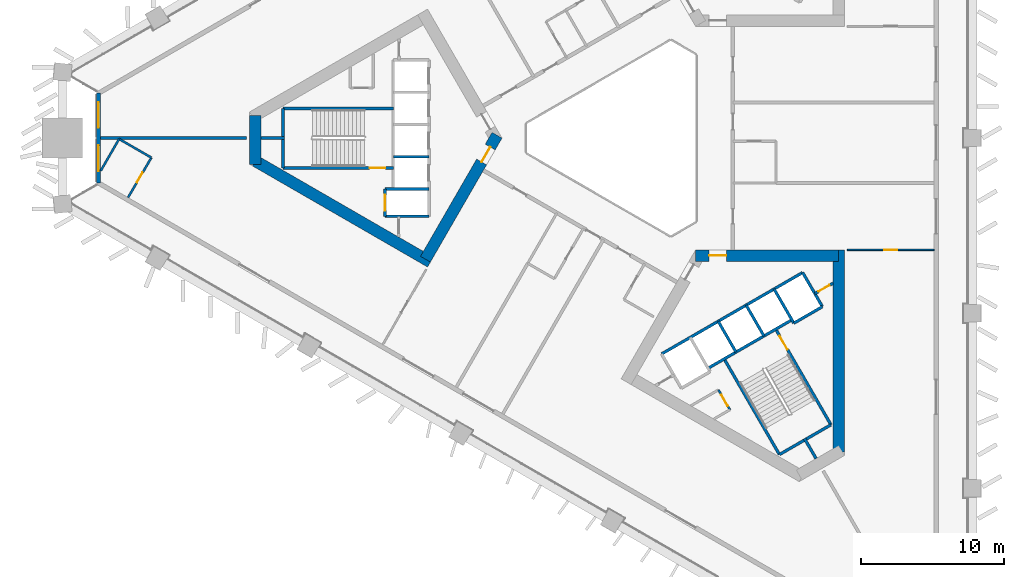
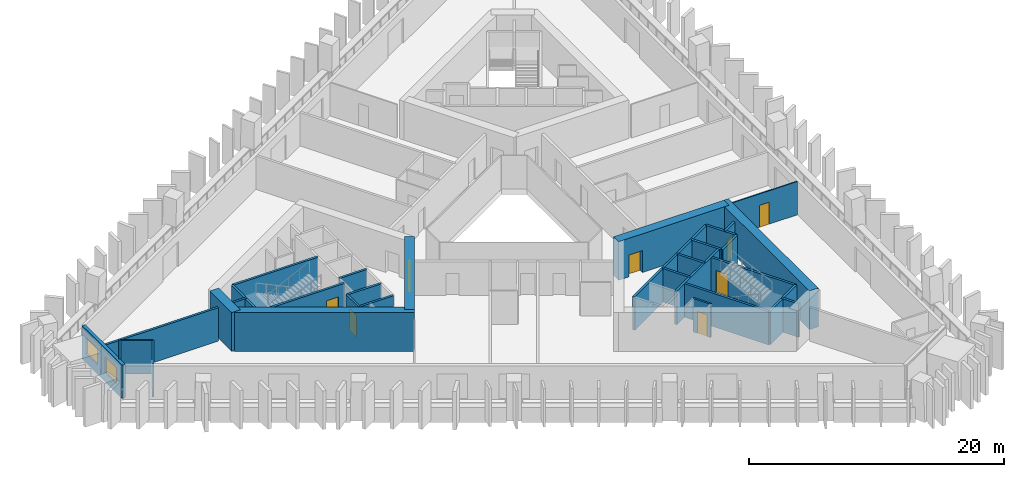
# One storey, part 3 of 10: 32 walls, 9 doors, 2 windows, 11 openings.
"""IFC4 building model written with IfcOpenShell, lengths in metres."""

from ifc_helpers import new_model, si_unit, direction, frame, frame_2d, origin, place, context, subcontext, project, spatial, rectangle, extrude, material, layer, layer_set, type_object, element, fill, save


model = new_model("IFC4")

# Units and contexts
model_context = context("Model", 3, precision=1e-05, world=origin(), true_north=direction((0.0, 1.0)))
body_context = subcontext(model_context, "Body", "Model", "MODEL_VIEW")
ifc_project = project(units=[si_unit("LENGTHUNIT", "METRE"), si_unit("AREAUNIT", "SQUARE_METRE"), si_unit("VOLUMEUNIT", "CUBIC_METRE"), si_unit("PLANEANGLEUNIT", "RADIAN"), si_unit("MASSUNIT", "GRAM", prefix="KILO")], contexts=[model_context])

# Site, building, storey
site_placement = place(None, origin())
site = spatial("IfcSite", under=ifc_project, at=site_placement, CompositionType="ELEMENT")
building_placement = place(site_placement, origin())
building = spatial("IfcBuilding", under=site, at=building_placement, Name="Jabali Bay Hotel Tower and Convention Centre", CompositionType="ELEMENT")
storey_placement = place(building_placement, frame((0.0, 0.0, 41.10009765625)))
storey = spatial("IfcBuildingStorey", under=building, at=storey_placement, Name="L08", CompositionType="ELEMENT", Elevation=41.10009765625)

# Walls
ifc_material_1 = material(Name="Concrete C40", Category="concrete")
ifc_layer_1 = layer(ifc_material_1, 0.199951171875)
ifc_layer_set_1 = layer_set([ifc_layer_1], Name="Concrete C40")
wall_type_1 = type_object("IfcWallType", Name="Core partition wall 200", PredefinedType="PARTITIONING", material=ifc_layer_set_1)
wall_1_placement = place(storey_placement, frame((50.820068359375, 80.0, 0.0), z_axis=(0.0, 0.0, 1.0), x_axis=(-1.0, 0.0, 0.0)))
element("IfcWall", 1, at=wall_1_placement, inside=storey, type_object=wall_type_1, Name="Core wall 0.5 L08", PredefinedType="PARTITIONING", context=body_context, shape_type="SweptSolid", body=[
    extrude(rectangle(XDim=1.623046875, YDim=0.199951171875, at=frame_2d((0.8115234375, 0.0))), origin(), (0.0, 0.0, 1.0), 3.199951171875),
])
wall_2_placement = place(storey_placement, frame((87.090087890625, 59.0595703125, 0.0), z_axis=(0.0, 0.0, 1.0), x_axis=(0.499956811548, -0.866050337213, 0.0)))
element("IfcWall", 2, at=wall_2_placement, inside=storey, type_object=wall_type_1, Name="Core wall 2.5 L08", PredefinedType="PARTITIONING", context=body_context, shape_type="SweptSolid", body=[
    extrude(rectangle(XDim=1.623291015625, YDim=0.199951171875, at=frame_2d((0.8115234375, 0.0))), origin(), (0.0, 0.0, 1.0), 3.199951171875),
])

# Wall, opening, door
wall_3_placement = place(storey_placement, frame((87.814697265625, 69.154296875, 0.0), z_axis=(0.0, 0.0, 1.0), x_axis=(0.866054810376, 0.49994906283, 0.0)))
wall_3 = element("IfcWall", 3, at=wall_3_placement, inside=storey, type_object=wall_type_1, Name="Core wall 2.12 L08", PredefinedType="PARTITIONING", context=body_context, shape_type="SweptSolid", body=[
    extrude(rectangle(XDim=1.461181640625, YDim=0.199951171875, at=frame_2d((0.73046875, 0.0))), origin(), (0.0, 0.0, 1.0), 3.199951171875),
])
opening_1_placement = place(wall_3_placement, frame((0.280517578125, 0.0, 0.0)))
opening_1 = element("IfcOpeningElement", 4, at=opening_1_placement, cuts=wall_3, Name="Opening D266", PredefinedType="OPENING", context=body_context, shape_type="SweptSolid", body=[
    extrude(rectangle(XDim=0.89990234375, YDim=2.10009765625, at=frame_2d((0.449951171875, 1.050048828125))), frame((0.0, 0.1103515625, 0.0), z_axis=(0.0, -1.0, 0.0), x_axis=(1.0, 0.0, 0.0)), (0.0, 0.0, 1.0), 0.220947265625),
])
ifc_material_2 = material(Name="Fire-rated steel door", Category="steel")
door_type_1 = type_object("IfcDoorType", Name="Vestibule fire door 900 x 2100", OperationType="NOTDEFINED", PredefinedType="NOTDEFINED", material=ifc_material_2)
door_1_placement = place(opening_1_placement, origin())
door_1 = element("IfcDoor", 5, at=door_1_placement, inside=storey, type_object=door_type_1, Name="Vestibule fire door D266", OperationType="SINGLE_SWING_LEFT", OverallHeight=2.10009765625, OverallWidth=0.89990234375, PredefinedType="NOTDEFINED", context=body_context, shape_type="SweptSolid", body=[
    extrude(rectangle(XDim=0.89990234375, YDim=2.10009765625, at=frame_2d((0.449951171875, 1.050048828125))), frame((0.0, 0.02490234375, 0.0), z_axis=(0.0, -1.0, 0.0), x_axis=(1.0, 0.0, 0.0)), (0.0, 0.0, 1.0), 0.050048828125),
])
fill(opening_1, door_1)

ifc_material_3 = material(Name="Fire-rated board partition")
ifc_layer_2 = layer(ifc_material_3, 0.14990234375)
ifc_layer_set_2 = layer_set([ifc_layer_2], Name="Fire-rated board partition")
wall_type_2 = type_object("IfcWallType", Name="Core room partition 150", PredefinedType="PARTITIONING", material=ifc_layer_set_2)
wall_4_placement = place(storey_placement, frame((81.093994140625, 62.445068359375, 0.0), z_axis=(0.0, 0.0, 1.0), x_axis=(0.499880961361, -0.866094119867, 0.0)))
wall_4 = element("IfcWall", 6, at=wall_4_placement, inside=storey, type_object=wall_type_2, Name="Core wall 2.1 L08", PredefinedType="PARTITIONING", context=body_context, shape_type="SweptSolid", body=[
    extrude(rectangle(XDim=1.60009765625, YDim=0.14990234375, at=frame_2d((0.800048828125, 0.0))), origin(), (0.0, 0.0, 1.0), 3.199951171875),
])
opening_2_placement = place(wall_4_placement, frame((0.387451171875, 0.0, 0.0)))
opening_2 = element("IfcOpeningElement", 7, at=opening_2_placement, cuts=wall_4, Name="Opening D269", PredefinedType="OPENING", context=body_context, shape_type="SweptSolid", body=[
    extrude(rectangle(XDim=0.89990234375, YDim=2.10009765625, at=frame_2d((0.449951171875, 1.050048828125))), frame((0.0, 0.08544921875, 0.0), z_axis=(0.0, -1.0, 0.0), x_axis=(1.0, 0.0, 0.0)), (0.0, 0.0, 1.0), 0.1708984375),
])
door_type_2 = type_object("IfcDoorType", Name="Core room door 900 x 2100", OperationType="NOTDEFINED", PredefinedType="NOTDEFINED", material=ifc_material_2)
door_2_placement = place(opening_2_placement, origin())
door_2 = element("IfcDoor", 8, at=door_2_placement, inside=storey, type_object=door_type_2, Name="Core room door D269", OperationType="SINGLE_SWING_LEFT", OverallHeight=2.10009765625, OverallWidth=0.89990234375, PredefinedType="NOTDEFINED", context=body_context, shape_type="SweptSolid", body=[
    extrude(rectangle(XDim=0.89990234375, YDim=2.10009765625, at=frame_2d((0.449951171875, 1.050048828125))), frame((0.0, 0.02490234375, 0.0), z_axis=(0.0, -1.0, 0.0), x_axis=(1.0, 0.0, 0.0)), (0.0, 0.0, 1.0), 0.050048828125),
])
fill(opening_2, door_2)

# Walls
ifc_layer_3 = layer(ifc_material_1, 0.199951171875)
ifc_layer_set_3 = layer_set([ifc_layer_3], Name="Concrete C40")
wall_type_3 = type_object("IfcWallType", Name="Core stair wall 200", PredefinedType="SOLIDWALL", material=ifc_layer_set_3)
wall_5_placement = place(storey_placement, frame((58.419921875, 82.074951171875, 0.0), z_axis=(0.0, 0.0, 1.0), x_axis=(-1.0, 0.0, 0.0)))
element("IfcWall", 9, at=wall_5_placement, inside=storey, type_object=wall_type_3, Name="Core wall 0.3 L08", PredefinedType="SOLIDWALL", context=body_context, shape_type="SweptSolid", body=[
    extrude(rectangle(XDim=7.699951171875, YDim=0.199951171875, at=frame_2d((3.85009765625, 0.0))), origin(), (0.0, 0.0, 1.0), 3.199951171875),
])
wall_6_placement = place(storey_placement, frame((60.89990234375, 78.699951171875, 0.0), z_axis=(0.0, 0.0, 1.0), x_axis=(-1.0, 0.0, 0.0)))
element("IfcWall", 10, at=wall_6_placement, inside=storey, type_object=wall_type_3, Name="Core wall 0.6 L08", PredefinedType="SOLIDWALL", context=body_context, shape_type="SweptSolid", body=[
    extrude(rectangle(XDim=2.47998046875, YDim=0.199951171875, at=frame_2d((1.239990234375, 0.0))), origin(), (0.0, 0.0, 1.0), 3.199951171875),
])

# Wall, opening, door
wall_7_placement = place(storey_placement, frame((58.419921875, 77.925048828125, 0.0), z_axis=(0.0, 0.0, 1.0), x_axis=(-1.0, 0.0, 0.0)))
wall_7 = element("IfcWall", 11, at=wall_7_placement, inside=storey, type_object=wall_type_3, Name="Core wall 0.7 L08", PredefinedType="SOLIDWALL", context=body_context, shape_type="SweptSolid", body=[
    extrude(rectangle(XDim=7.699951171875, YDim=0.199951171875, at=frame_2d((3.85009765625, 0.0))), origin(), (0.0, 0.0, 1.0), 3.199951171875),
])
opening_3_placement = place(wall_7_placement, frame((0.550048828125, 0.0, 0.0)))
opening_3 = element("IfcOpeningElement", 12, at=opening_3_placement, cuts=wall_7, Name="Opening D256", PredefinedType="OPENING", context=body_context, shape_type="SweptSolid", body=[
    extrude(rectangle(XDim=1.10009765625, YDim=2.10009765625, at=frame_2d((0.550048828125, 1.050048828125))), frame((0.0, 0.1103515625, 0.0), z_axis=(0.0, -1.0, 0.0), x_axis=(1.0, 0.0, 0.0)), (0.0, 0.0, 1.0), 0.220947265625),
])
door_type_3 = type_object("IfcDoorType", Name="Stair fire door 1100 x 2100", OperationType="NOTDEFINED", PredefinedType="NOTDEFINED", material=ifc_material_2)
door_3_placement = place(opening_3_placement, origin())
door_3 = element("IfcDoor", 13, at=door_3_placement, inside=storey, type_object=door_type_3, Name="Stair fire door D256", OperationType="SINGLE_SWING_RIGHT", OverallHeight=2.10009765625, OverallWidth=1.10009765625, PredefinedType="NOTDEFINED", context=body_context, shape_type="SweptSolid", body=[
    extrude(rectangle(XDim=1.10009765625, YDim=2.10009765625, at=frame_2d((0.550048828125, 1.050048828125))), frame((0.0, 0.02490234375, 0.0), z_axis=(0.0, -1.0, 0.0), x_axis=(1.0, 0.0, 0.0)), (0.0, 0.0, 1.0), 0.050048828125),
])
fill(opening_3, door_3)

# Walls
for number, where, z_axis, x_axis, name in (
    (14, (60.89990234375, 76.449951171875, 0.0), (0.0, 0.0, 1.0), (-1.0, 0.0, 0.0), "Core wall 0.8 L08"),
    (15, (60.89990234375, 74.550048828125, 0.0), (0.0, 0.0, 1.0), (-1.0, 0.0, 0.0), "Core wall 0.9 L08"),
):
    element("IfcWall", number, at=place(storey_placement, frame(where, z_axis=z_axis, x_axis=x_axis)), inside=storey, type_object=wall_type_3, Name=name, PredefinedType="SOLIDWALL", context=body_context, shape_type="SweptSolid", body=[
        extrude(rectangle(XDim=3.0498046875, YDim=0.199951171875, at=frame_2d((1.52490234375, 0.0))), origin(), (0.0, 0.0, 1.0), 3.199951171875),
    ])

# Wall, opening, door
wall_8_placement = place(storey_placement, frame((57.85009765625, 76.449951171875, 0.0), z_axis=(0.0, 0.0, 1.0), x_axis=(0.0, -1.0, 0.0)))
wall_8 = element("IfcWall", 16, at=wall_8_placement, inside=storey, type_object=wall_type_3, Name="Core wall 0.14 L08", PredefinedType="SOLIDWALL", context=body_context, shape_type="SweptSolid", body=[
    extrude(rectangle(XDim=1.89990234375, YDim=0.199951171875, at=frame_2d((0.949951171875, 0.0))), origin(), (0.0, 0.0, 1.0), 3.199951171875),
])
opening_4_placement = place(wall_8_placement, frame((0.39990234375, 0.0, 0.0)))
opening_4 = element("IfcOpeningElement", 17, at=opening_4_placement, cuts=wall_8, Name="Opening LD5-L08", PredefinedType="OPENING", context=body_context, shape_type="SweptSolid", body=[
    extrude(rectangle(XDim=1.10009765625, YDim=2.10009765625, at=frame_2d((0.550048828125, 1.050048828125))), frame((0.0, 0.1103515625, 0.0), z_axis=(0.0, -1.0, 0.0), x_axis=(1.0, 0.0, 0.0)), (0.0, 0.0, 1.0), 0.220947265625),
])
ifc_material_4 = material(Name="Stainless steel landing door", Category="steel")
door_type_4 = type_object("IfcDoorType", Name="Landing door 1100 x 2100", OperationType="NOTDEFINED", PredefinedType="NOTDEFINED", material=ifc_material_4)
door_4_placement = place(opening_4_placement, origin())
door_4 = element("IfcDoor", 18, at=door_4_placement, inside=storey, type_object=door_type_4, Name="Landing doors LD5-L08", OperationType="SLIDING_TO_RIGHT", OverallHeight=2.10009765625, OverallWidth=1.10009765625, PredefinedType="NOTDEFINED", context=body_context, shape_type="SweptSolid", body=[
    extrude(rectangle(XDim=1.10009765625, YDim=2.10009765625, at=frame_2d((0.550048828125, 1.050048828125))), frame((0.0, 0.02490234375, 0.0), z_axis=(0.0, -1.0, 0.0), x_axis=(1.0, 0.0, 0.0)), (0.0, 0.0, 1.0), 0.050048828125),
])
fill(opening_4, door_4)

# Walls
wall_9_placement = place(storey_placement, frame((50.719970703125, 82.074951171875, 0.0), z_axis=(0.0, 0.0, 1.0), x_axis=(0.0, -1.0, 0.0)))
element("IfcWall", 19, at=wall_9_placement, inside=storey, type_object=wall_type_3, Name="Core wall 0.17 L08", PredefinedType="SOLIDWALL", context=body_context, shape_type="SweptSolid", body=[
    extrude(rectangle(XDim=4.14990234375, YDim=0.199951171875, at=frame_2d((2.074951171875, 0.0))), origin(), (0.0, 0.0, 1.0), 3.199951171875),
])
wall_10_placement = place(storey_placement, frame((81.492919921875, 64.603759765625, 0.0), z_axis=(0.0, 0.0, 1.0), x_axis=(0.500006057782, -0.866021906294, 0.0)))
element("IfcWall", 20, at=wall_10_placement, inside=storey, type_object=wall_type_3, Name="Core wall 2.3 L08", PredefinedType="SOLIDWALL", context=body_context, shape_type="SweptSolid", body=[
    extrude(rectangle(XDim=7.7001953125, YDim=0.199951171875, at=frame_2d((3.85009765625, 0.0))), origin(), (0.0, 0.0, 1.0), 3.199951171875),
])
for number, where, z_axis, x_axis, name in (
    (21, (81.07568359375, 67.2265625, 0.0), (0.0, 0.0, 1.0), (0.50000366821, -0.866023285932, 0.0), "Core wall 2.4 L08"),
    (22, (83.024169921875, 68.3515625, 0.0), (0.0, 0.0, 1.0), (0.50000366821, -0.866023285932, 0.0), "Core wall 2.6 L08"),
):
    element("IfcWall", number, at=place(storey_placement, frame(where, z_axis=z_axis, x_axis=x_axis)), inside=storey, type_object=wall_type_3, Name=name, PredefinedType="SOLIDWALL", context=body_context, shape_type="SweptSolid", body=[
        extrude(rectangle(XDim=2.47998046875, YDim=0.199951171875, at=frame_2d((1.239990234375, 0.0))), origin(), (0.0, 0.0, 1.0), 3.199951171875),
    ])

# Wall, opening, door
wall_11_placement = place(storey_placement, frame((85.0869140625, 66.6787109375, 0.0), z_axis=(0.0, 0.0, 1.0), x_axis=(0.500019787375, -0.866013979237, 0.0)))
wall_11 = element("IfcWall", 23, at=wall_11_placement, inside=storey, type_object=wall_type_3, Name="Core wall 2.7 L08", PredefinedType="SOLIDWALL", context=body_context, shape_type="SweptSolid", body=[
    extrude(rectangle(XDim=7.699951171875, YDim=0.199951171875, at=frame_2d((3.85009765625, 0.0))), origin(), (0.0, 0.0, 1.0), 3.199951171875),
])
opening_5_placement = place(wall_11_placement, frame((0.550048828125, 0.0, 0.0)))
opening_5 = element("IfcOpeningElement", 24, at=opening_5_placement, cuts=wall_11, Name="Opening D268", PredefinedType="OPENING", context=body_context, shape_type="SweptSolid", body=[
    extrude(rectangle(XDim=1.10009765625, YDim=2.10009765625, at=frame_2d((0.550048828125, 1.050048828125))), frame((0.0, 0.1103515625, 0.0), z_axis=(0.0, -1.0, 0.0), x_axis=(1.0, 0.0, 0.0)), (0.0, 0.0, 1.0), 0.220947265625),
])
door_5_placement = place(opening_5_placement, origin())
door_5 = element("IfcDoor", 25, at=door_5_placement, inside=storey, type_object=door_type_3, Name="Stair fire door D268", OperationType="SINGLE_SWING_RIGHT", OverallHeight=2.10009765625, OverallWidth=1.10009765625, PredefinedType="NOTDEFINED", context=body_context, shape_type="SweptSolid", body=[
    extrude(rectangle(XDim=1.10009765625, YDim=2.10009765625, at=frame_2d((0.550048828125, 1.050048828125))), frame((0.0, 0.02490234375, 0.0), z_axis=(0.0, -1.0, 0.0), x_axis=(1.0, 0.0, 0.0)), (0.0, 0.0, 1.0), 0.050048828125),
])
fill(opening_5, door_5)

# Walls
for number, where, z_axis, x_axis, name in (
    (26, (84.972900390625, 69.4765625, 0.0), (0.0, 0.0, 1.0), (0.499996545922, -0.866027397988, 0.0), "Core wall 2.8 L08"),
    (27, (86.964599609375, 70.62646484375, 0.0), (0.0, 0.0, 1.0), (0.499996545922, -0.866027397988, 0.0), "Core wall 2.9 L08"),
):
    element("IfcWall", number, at=place(storey_placement, frame(where, z_axis=z_axis, x_axis=x_axis)), inside=storey, type_object=wall_type_3, Name=name, PredefinedType="SOLIDWALL", context=body_context, shape_type="SweptSolid", body=[
        extrude(rectangle(XDim=2.75, YDim=0.199951171875, at=frame_2d((1.375, 0.0))), origin(), (0.0, 0.0, 1.0), 3.199951171875),
    ])
wall_12_placement = place(storey_placement, frame((77.13525390625, 64.95166015625, 0.0), z_axis=(0.0, 0.0, 1.0), x_axis=(0.866031916153, 0.499988720078, 0.0)))
element("IfcWall", 28, at=wall_12_placement, inside=storey, type_object=wall_type_3, Name="Core wall 2.10 L08", PredefinedType="SOLIDWALL", context=body_context, shape_type="SweptSolid", body=[
    extrude(rectangle(XDim=11.349853515625, YDim=0.199951171875, at=frame_2d((5.6748046875, 0.0))), origin(), (0.0, 0.0, 1.0), 3.199951171875),
])
wall_13_placement = place(storey_placement, frame((80.3671875, 63.953857421875, 0.0), z_axis=(0.0, 0.0, 1.0), x_axis=(0.866026575979, 0.499997969693, 0.0)))
element("IfcWall", 29, at=wall_13_placement, inside=storey, type_object=wall_type_3, Name="Core wall 2.13 L08", PredefinedType="SOLIDWALL", context=body_context, shape_type="SweptSolid", body=[
    extrude(rectangle(XDim=6.75, YDim=0.199951171875, at=frame_2d((3.375, 0.0))), origin(), (0.0, 0.0, 1.0), 3.199951171875),
])
wall_14_placement = place(storey_placement, frame((86.347900390625, 67.094970703125, 0.0), z_axis=(0.0, 0.0, 1.0), x_axis=(0.86602648383, 0.499998129301, 0.0)))
element("IfcWall", 30, at=wall_14_placement, inside=storey, type_object=wall_type_3, Name="Core wall 2.15 L08", PredefinedType="SOLIDWALL", context=body_context, shape_type="SweptSolid", body=[
    extrude(rectangle(XDim=2.2998046875, YDim=0.199951171875, at=frame_2d((1.14990234375, 0.0))), origin(), (0.0, 0.0, 1.0), 3.199951171875),
])
wall_15_placement = place(storey_placement, frame((85.343017578125, 57.935302734375, 0.0), z_axis=(0.0, 0.0, 1.0), x_axis=(0.866004344652, 0.500036473714, 0.0)))
element("IfcWall", 31, at=wall_15_placement, inside=storey, type_object=wall_type_3, Name="Core wall 2.18 L08", PredefinedType="SOLIDWALL", context=body_context, shape_type="SweptSolid", body=[
    extrude(rectangle(XDim=4.150146484375, YDim=0.199951171875, at=frame_2d((2.0751953125, 0.0))), origin(), (0.0, 0.0, 1.0), 3.199951171875),
])
ifc_material_5 = material(Name="Concrete C60", Category="concrete")
ifc_layer_4 = layer(ifc_material_5, 0.800048828125)
ifc_layer_set_4 = layer_set([ifc_layer_4], Name="Concrete C60")
wall_type_4 = type_object("IfcWallType", Name="Core wall 800", PredefinedType="SHEAR", material=ifc_layer_set_4)
wall_16_placement = place(storey_placement, frame((48.796875, 81.591796875, 0.0), z_axis=(0.0, 0.0, 1.0), x_axis=(0.0, -1.0, 0.0)))
element("IfcWall", 32, at=wall_16_placement, inside=storey, type_object=wall_type_4, Name="Core wall 1.3 L08", PredefinedType="SHEAR", context=body_context, shape_type="SweptSolid", body=[
    extrude(rectangle(XDim=3.41455078125, YDim=0.800048828125, at=frame_2d((1.707275390625, 0.0))), origin(), (0.0, 0.0, 1.0), 3.699951171875),
])
wall_17_placement = place(storey_placement, frame((48.796875, 78.408203125, 0.0), z_axis=(0.0, 0.0, 1.0), x_axis=(0.866032504327, -0.499987701298, 0.0)))
element("IfcWall", 33, at=wall_17_placement, inside=storey, type_object=wall_type_4, Name="Core wall 1.4 L08", PredefinedType="SHEAR", context=body_context, shape_type="SweptSolid", body=[
    extrude(rectangle(XDim=14.102294921875, YDim=0.800048828125, at=frame_2d((7.05126953125, 0.0))), origin(), (0.0, 0.0, 1.0), 3.699951171875),
])

# Wall, opening, door
wall_18_placement = place(storey_placement, frame((60.66357421875, 71.55712890625, 0.0), z_axis=(0.0, 0.0, 1.0), x_axis=(0.50000409368, 0.866023040284, 0.0)))
wall_18 = element("IfcWall", 34, at=wall_18_placement, inside=storey, type_object=wall_type_4, Name="Core wall 1.5 L08", PredefinedType="SHEAR", context=body_context, shape_type="SweptSolid", body=[
    extrude(rectangle(XDim=9.97998046875, YDim=0.800048828125, at=frame_2d((4.989990234375, 0.0))), origin(), (0.0, 0.0, 1.0), 3.699951171875),
])
opening_6_placement = place(wall_18_placement, frame((7.830078125, 0.0, 0.0)))
opening_6 = element("IfcOpeningElement", 35, at=opening_6_placement, cuts=wall_18, Name="Opening D253", PredefinedType="OPENING", context=body_context, shape_type="SweptSolid", body=[
    extrude(rectangle(XDim=1.199951171875, YDim=2.10009765625, at=frame_2d((0.60009765625, 1.050048828125))), frame((0.0, 0.41064453125, 0.0), z_axis=(0.0, -1.0, 0.0), x_axis=(1.0, 0.0, 0.0)), (0.0, 0.0, 1.0), 0.821044921875),
])
door_type_5 = type_object("IfcDoorType", Name="Corridor end fire door 1200 x 2100", OperationType="NOTDEFINED", PredefinedType="NOTDEFINED", material=ifc_material_2)
door_6_placement = place(opening_6_placement, origin())
door_6 = element("IfcDoor", 36, at=door_6_placement, inside=storey, type_object=door_type_5, Name="Corridor end fire door D253", OperationType="SINGLE_SWING_LEFT", OverallHeight=2.10009765625, OverallWidth=1.199951171875, PredefinedType="NOTDEFINED", context=body_context, shape_type="SweptSolid", body=[
    extrude(rectangle(XDim=1.199951171875, YDim=2.10009765625, at=frame_2d((0.60009765625, 1.050048828125))), frame((0.0, 0.02490234375, 0.0), z_axis=(0.0, -1.0, 0.0), x_axis=(1.0, 0.0, 0.0)), (0.0, 0.0, 1.0), 0.050048828125),
])
fill(opening_6, door_6)

# Wall
wall_19_placement = place(storey_placement, frame((89.47998046875, 58.103271484375, 0.0), z_axis=(0.0, 0.0, 1.0), x_axis=(0.0, 1.0, 0.0)))
element("IfcWall", 37, at=wall_19_placement, inside=storey, type_object=wall_type_4, Name="Core wall 3.4 L08", PredefinedType="SHEAR", context=body_context, shape_type="SweptSolid", body=[
    extrude(rectangle(XDim=14.1025390625, YDim=0.800048828125, at=frame_2d((7.05126953125, 0.0))), origin(), (0.0, 0.0, 1.0), 3.699951171875),
])

# Wall, opening, door
wall_20_placement = place(storey_placement, frame((89.47998046875, 71.8056640625, 0.0), z_axis=(0.0, 0.0, 1.0), x_axis=(-1.0, 0.0, 0.0)))
wall_20 = element("IfcWall", 38, at=wall_20_placement, inside=storey, type_object=wall_type_4, Name="Core wall 3.5 L08", PredefinedType="SHEAR", context=body_context, shape_type="SweptSolid", body=[
    extrude(rectangle(XDim=9.97998046875, YDim=0.800048828125, at=frame_2d((4.989990234375, 0.0))), origin(), (0.0, 0.0, 1.0), 3.699951171875),
])
opening_7_placement = place(wall_20_placement, frame((7.830078125, 0.0, 0.0)))
opening_7 = element("IfcOpeningElement", 39, at=opening_7_placement, cuts=wall_20, Name="Opening D265", PredefinedType="OPENING", context=body_context, shape_type="SweptSolid", body=[
    extrude(rectangle(XDim=1.199951171875, YDim=2.10009765625, at=frame_2d((0.60009765625, 1.050048828125))), frame((0.0, 0.41064453125, 0.0), z_axis=(0.0, -1.0, 0.0), x_axis=(1.0, 0.0, 0.0)), (0.0, 0.0, 1.0), 0.821044921875),
])
door_7_placement = place(opening_7_placement, origin())
door_7 = element("IfcDoor", 40, at=door_7_placement, inside=storey, type_object=door_type_5, Name="Corridor end fire door D265", OperationType="SINGLE_SWING_LEFT", OverallHeight=2.10009765625, OverallWidth=1.199951171875, PredefinedType="NOTDEFINED", context=body_context, shape_type="SweptSolid", body=[
    extrude(rectangle(XDim=1.199951171875, YDim=2.10009765625, at=frame_2d((0.60009765625, 1.050048828125))), frame((0.0, 0.02490234375, 0.0), z_axis=(0.0, -1.0, 0.0), x_axis=(1.0, 0.0, 0.0)), (0.0, 0.0, 1.0), 0.050048828125),
])
fill(opening_7, door_7)

# Wall, openings, windows
ifc_layer_5 = layer(ifc_material_1, 0.300048828125)
ifc_layer_set_5 = layer_set([ifc_layer_5], Name="Concrete C40")
wall_type_5 = type_object("IfcWallType", Name="External wall 300", PredefinedType="SOLIDWALL", material=ifc_layer_set_5)
wall_21_placement = place(storey_placement, frame((37.8701171875, 76.86962890625, 0.0), z_axis=(0.0, 0.0, 1.0), x_axis=(0.0, 1.0, 0.0)))
wall_21 = element("IfcWall", 41, at=wall_21_placement, inside=storey, type_object=wall_type_5, Name="External wall west chamfer L08", PredefinedType="SOLIDWALL", context=body_context, shape_type="SweptSolid", body=[
    extrude(rectangle(XDim=6.2607421875, YDim=0.300048828125, at=frame_2d((3.13037109375, 0.0))), origin(), (0.0, 0.0, 1.0), 3.199951171875),
])
opening_8_placement = place(wall_21_placement, frame((3.83837890625, 0.0, 0.89990234375)))
opening_8 = element("IfcOpeningElement", 42, at=opening_8_placement, cuts=wall_21, Name="Opening W1", PredefinedType="OPENING", context=body_context, shape_type="SweptSolid", body=[
    extrude(rectangle(XDim=1.800048828125, YDim=1.5, at=frame_2d((0.89990234375, 0.75))), frame((0.0, 0.16064453125, 0.0), z_axis=(0.0, -1.0, 0.0), x_axis=(1.0, 0.0, 0.0)), (0.0, 0.0, 1.0), 0.321044921875),
])
opening_9_placement = place(wall_21_placement, frame((0.82958984375, 0.0, 0.89990234375)))
opening_9 = element("IfcOpeningElement", 43, at=opening_9_placement, cuts=wall_21, Name="Opening W1", PredefinedType="OPENING", context=body_context, shape_type="SweptSolid", body=[
    extrude(rectangle(XDim=1.800048828125, YDim=1.5, at=frame_2d((0.89990234375, 0.75))), frame((0.0, 0.16064453125, 0.0), z_axis=(0.0, -1.0, 0.0), x_axis=(1.0, 0.0, 0.0)), (0.0, 0.0, 1.0), 0.321044921875),
])
ifc_material_6 = material(Name="Glass", Category="glass")
window_type = type_object("IfcWindowType", Name="Window 1800 x 1500", PartitioningType="SINGLE_PANEL", PredefinedType="WINDOW", material=ifc_material_6)
window_1_placement = place(opening_8_placement, origin())
window_1 = element("IfcWindow", 44, at=window_1_placement, inside=storey, type_object=window_type, Name="Window 806", OverallHeight=1.5, OverallWidth=1.800048828125, PartitioningType="SINGLE_PANEL", PredefinedType="WINDOW", context=body_context, shape_type="SweptSolid", body=[
    extrude(rectangle(XDim=1.800048828125, YDim=1.5, at=frame_2d((0.89990234375, 0.75))), frame((0.0, 0.030029296875, 0.0), z_axis=(0.0, -1.0, 0.0), x_axis=(1.0, 0.0, 0.0)), (0.0, 0.0, 1.0), 0.06005859375),
])
fill(opening_8, window_1)
window_2_placement = place(opening_9_placement, origin())
window_2 = element("IfcWindow", 45, at=window_2_placement, inside=storey, type_object=window_type, Name="Window 807", OverallHeight=1.5, OverallWidth=1.800048828125, PartitioningType="SINGLE_PANEL", PredefinedType="WINDOW", context=body_context, shape_type="SweptSolid", body=[
    extrude(rectangle(XDim=1.800048828125, YDim=1.5, at=frame_2d((0.89990234375, 0.75))), frame((0.0, 0.030029296875, 0.0), z_axis=(0.0, -1.0, 0.0), x_axis=(1.0, 0.0, 0.0)), (0.0, 0.0, 1.0), 0.06005859375),
])
fill(opening_9, window_2)

# Wall, opening, door
ifc_material_7 = material(Name="Plasterboard on steel stud", Category="steel")
ifc_layer_6 = layer(ifc_material_7, 0.10009765625)
ifc_layer_set_6 = layer_set([ifc_layer_6], Name="Plasterboard on steel stud")
wall_type_6 = type_object("IfcWallType", Name="Partition 100 unit", PredefinedType="PARTITIONING", material=ifc_layer_set_6)
wall_22_placement = place(storey_placement, frame((90.0791015625, 72.205810546875, 0.0), z_axis=(0.0, 0.0, 1.0), x_axis=(1.0, 0.0, 0.0)))
wall_22 = element("IfcWall", 46, at=wall_22_placement, inside=storey, type_object=wall_type_6, Name="Partition P02 L08 001", PredefinedType="PARTITIONING", context=body_context, shape_type="SweptSolid", body=[
    extrude(rectangle(XDim=6.0478515625, YDim=0.10009765625, at=frame_2d((3.02392578125, 0.0))), origin(), (0.0, 0.0, 1.0), 3.199951171875),
])
opening_10_placement = place(wall_22_placement, frame((2.573974609375, 0.0, 0.0)))
opening_10 = element("IfcOpeningElement", 47, at=opening_10_placement, cuts=wall_22, Name="Opening 0802", PredefinedType="OPENING", context=body_context, shape_type="SweptSolid", body=[
    extrude(rectangle(XDim=0.89990234375, YDim=2.10009765625, at=frame_2d((0.449951171875, 1.050048828125))), frame((0.0, 0.060546875, 0.0), z_axis=(0.0, -1.0, 0.0), x_axis=(1.0, 0.0, 0.0)), (0.0, 0.0, 1.0), 0.12109375),
])
ifc_material_8 = material(Name="Timber", Category="wood")
door_type_6 = type_object("IfcDoorType", Name="Internal door 900 x 2100", OperationType="NOTDEFINED", PredefinedType="NOTDEFINED", material=ifc_material_8)
door_8_placement = place(opening_10_placement, origin())
door_8 = element("IfcDoor", 48, at=door_8_placement, inside=storey, type_object=door_type_6, Name="Door 0802", OperationType="SINGLE_SWING_RIGHT", OverallHeight=2.10009765625, OverallWidth=0.89990234375, PredefinedType="NOTDEFINED", context=body_context, shape_type="SweptSolid", body=[
    extrude(rectangle(XDim=0.89990234375, YDim=2.10009765625, at=frame_2d((0.449951171875, 1.050048828125))), frame((0.0, 0.02490234375, 0.0), z_axis=(0.0, -1.0, 0.0), x_axis=(1.0, 0.0, 0.0)), (0.0, 0.0, 1.0), 0.050048828125),
])
fill(opening_10, door_8)

# Walls
ifc_layer_7 = layer(ifc_material_7, 0.14990234375)
ifc_layer_set_7 = layer_set([ifc_layer_7], Name="Plasterboard on steel stud")
wall_type_7 = type_object("IfcWallType", Name="Partition 150 wet", PredefinedType="PARTITIONING", material=ifc_layer_set_7)
wall_23_placement = place(storey_placement, frame((38.019287109375, 77.7177734375, 0.0), z_axis=(0.0, 0.0, 1.0), x_axis=(0.499936653632, 0.866061973738, 0.0)))
element("IfcWall", 49, at=wall_23_placement, inside=storey, type_object=wall_type_7, Name="Partition P03 L08 030", PredefinedType="PARTITIONING", context=body_context, shape_type="SweptSolid", body=[
    extrude(rectangle(XDim=2.565185546875, YDim=0.14990234375, at=frame_2d((1.28271484375, 0.0))), origin(), (0.0, 0.0, 1.0), 3.199951171875),
])
wall_24_placement = place(storey_placement, frame((39.3017578125, 79.939453125, 0.0), z_axis=(0.0, 0.0, 1.0), x_axis=(0.866021400173, -0.500006934395, 0.0)))
element("IfcWall", 50, at=wall_24_placement, inside=storey, type_object=wall_type_7, Name="Partition P03 L08 031", PredefinedType="PARTITIONING", context=body_context, shape_type="SweptSolid", body=[
    extrude(rectangle(XDim=2.60009765625, YDim=0.14990234375, at=frame_2d((1.300048828125, 0.0))), origin(), (0.0, 0.0, 1.0), 3.199951171875),
])

# Wall, opening, door
wall_25_placement = place(storey_placement, frame((41.553466796875, 78.639404296875, 0.0), z_axis=(0.0, 0.0, 1.0), x_axis=(-0.505103573077, -0.863058735235, 0.0)))
wall_25 = element("IfcWall", 51, at=wall_25_placement, inside=storey, type_object=wall_type_7, Name="Partition P03 L08 032", PredefinedType="PARTITIONING", context=body_context, shape_type="SweptSolid", body=[
    extrude(rectangle(XDim=3.225341796875, YDim=0.14990234375, at=frame_2d((1.61279296875, 0.0))), origin(), (0.0, 0.0, 1.0), 3.199951171875),
])
opening_11_placement = place(wall_25_placement, frame((1.212890625, 0.0, 0.0)))
opening_11 = element("IfcOpeningElement", 52, at=opening_11_placement, cuts=wall_25, Name="Opening 0818", PredefinedType="OPENING", context=body_context, shape_type="SweptSolid", body=[
    extrude(rectangle(XDim=0.800048828125, YDim=2.10009765625, at=frame_2d((0.39990234375, 1.050048828125))), frame((0.0, 0.08544921875, 0.0), z_axis=(0.0, -1.0, 0.0), x_axis=(1.0, 0.0, 0.0)), (0.0, 0.0, 1.0), 0.1708984375),
])
door_type_7 = type_object("IfcDoorType", Name="En-suite door 800 x 2100", OperationType="NOTDEFINED", PredefinedType="NOTDEFINED", material=ifc_material_8)
door_9_placement = place(opening_11_placement, origin())
door_9 = element("IfcDoor", 53, at=door_9_placement, inside=storey, type_object=door_type_7, Name="Door 0818", OperationType="SINGLE_SWING_LEFT", OverallHeight=2.10009765625, OverallWidth=0.800048828125, PredefinedType="NOTDEFINED", context=body_context, shape_type="SweptSolid", body=[
    extrude(rectangle(XDim=0.800048828125, YDim=2.10009765625, at=frame_2d((0.39990234375, 1.050048828125))), frame((0.0, 0.02490234375, 0.0), z_axis=(0.0, -1.0, 0.0), x_axis=(1.0, 0.0, 0.0)), (0.0, 0.0, 1.0), 0.050048828125),
])
fill(opening_11, door_9)

# Wall
ifc_layer_8 = layer(ifc_material_7, 0.199951171875)
ifc_layer_set_8 = layer_set([ifc_layer_8], Name="Plasterboard on steel stud")
wall_type_8 = type_object("IfcWallType", Name="Partition 200 party", PredefinedType="PARTITIONING", material=ifc_layer_set_8)
wall_26_placement = place(storey_placement, frame((38.019287109375, 80.0, 0.0), z_axis=(0.0, 0.0, 1.0), x_axis=(1.0, 0.0, 0.0)))
element("IfcWall", 54, at=wall_26_placement, inside=storey, type_object=wall_type_8, Name="Partition P01 L08 026", PredefinedType="PARTITIONING", context=body_context, shape_type="SweptSolid", body=[
    extrude(rectangle(XDim=10.1787109375, YDim=0.199951171875, at=frame_2d((5.08935546875, 0.0))), origin(), (0.0, 0.0, 1.0), 3.199951171875),
])

save(model, "model.ifc")
